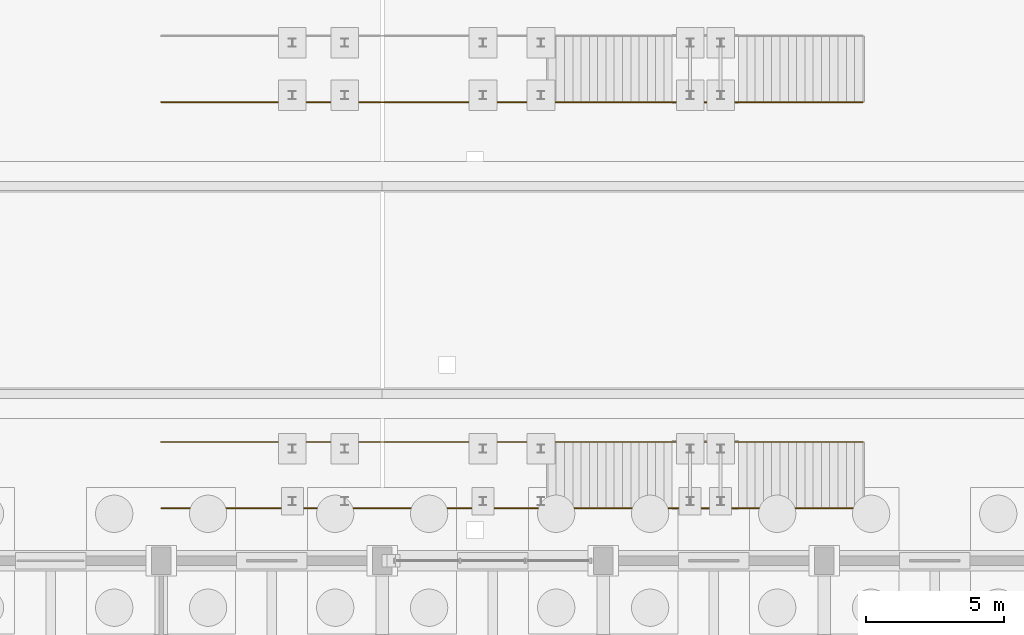
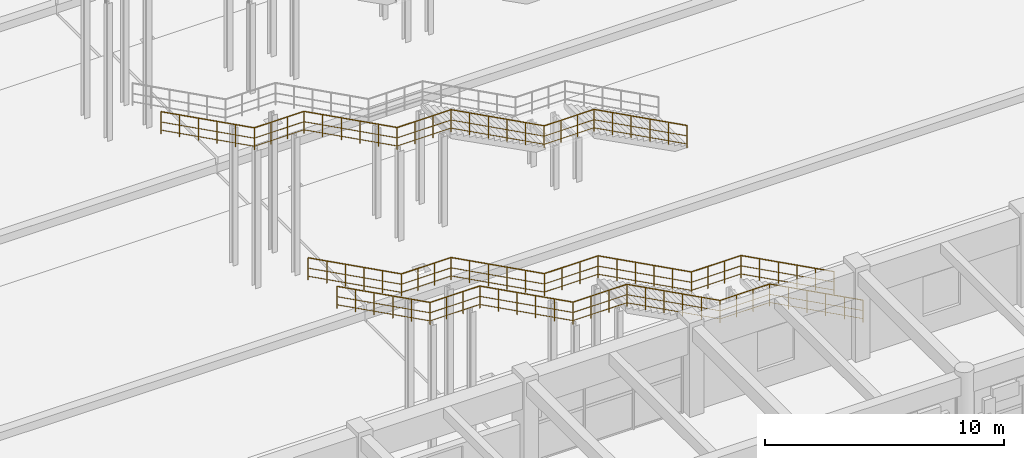
# One storey, part 142 of 147: 3 railings.
"""IFC4 building model written with IfcOpenShell, lengths in metres."""

from ifc_helpers import new_model, si_unit, direction, frame, origin, origin_2d, place, context, subcontext, project, spatial, circle, extrude, material, type_object, element, save


model = new_model("IFC4")

# Units and contexts
model_context = context("Model", 3, precision=1e-05, world=origin(), true_north=direction((0.0, 1.0)))
body_context = subcontext(model_context, "Body", "Model", "MODEL_VIEW")
ifc_project = project(units=[si_unit("LENGTHUNIT", "METRE"), si_unit("AREAUNIT", "SQUARE_METRE"), si_unit("VOLUMEUNIT", "CUBIC_METRE"), si_unit("PLANEANGLEUNIT", "RADIAN"), si_unit("MASSUNIT", "GRAM", prefix="KILO")], contexts=[model_context])

# Site, building, storey
site_placement = place(None, origin())
site = spatial("IfcSite", under=ifc_project, at=site_placement, CompositionType="ELEMENT")
building_placement = place(site_placement, origin())
building = spatial("IfcBuilding", under=site, at=building_placement, Name="Varnabhumi Central Station", CompositionType="ELEMENT")
storey_placement = place(building_placement, origin())
storey = spatial("IfcBuildingStorey", under=building, at=storey_placement, Name="L00", CompositionType="ELEMENT", Elevation=0.0)

# Railings
ifc_material = material(Name="Stainless steel Grade 316", Category="steel")
railing_type = type_object("IfcRailingType", Name="RAIL-STAIR-GRD-1150", PredefinedType="GUARDRAIL", material=ifc_material)
railing_1_placement = place(storey_placement, frame((137.39990234375, 37.89990234375, 0.0)))
element("IfcRailing", 1, at=railing_1_placement, inside=storey, type_object=railing_type, Name="Platform 1 Concourse Stair Guard S", PredefinedType="GUARDRAIL", context=body_context, shape_type="SweptSolid", body=[
    extrude(circle(Radius=0.02392578125, at=origin_2d()), frame((0.0, 0.0, 1.1259765625), z_axis=(-0.882360891967, 0.0, 0.470573327259), x_axis=(0.0, -1.0, 0.0)), (0.0, 0.0, 1.0), 5.099853515625),
    extrude(circle(Radius=0.01416015625, at=origin_2d()), frame((0.0, 0.0, 0.597900390625), z_axis=(-0.882360891967, 0.0, 0.470573327259), x_axis=(0.0, -1.0, 0.0)), (0.0, 0.0, 1.0), 5.099853515625),
    extrude(circle(Radius=0.01416015625, at=origin_2d()), frame((0.0, 0.0, 0.18408203125), z_axis=(-0.882360891967, 0.0, 0.470573327259), x_axis=(0.0, -1.0, 0.0)), (0.0, 0.0, 1.0), 5.099853515625),
    extrude(circle(Radius=0.02392578125, at=origin_2d()), frame((-4.5, 0.0, 3.52587890625), z_axis=(-1.0, 0.0, 0.0), x_axis=(0.0, -1.0, 0.0)), (0.0, 0.0, 1.0), 2.39990234375),
    extrude(circle(Radius=0.01416015625, at=origin_2d()), frame((-4.5, 0.0, 2.997802734375), z_axis=(-1.0, 0.0, 0.0), x_axis=(0.0, -1.0, 0.0)), (0.0, 0.0, 1.0), 2.39990234375),
    extrude(circle(Radius=0.01416015625, at=origin_2d()), frame((-4.5, 0.0, 2.583984375), z_axis=(-1.0, 0.0, 0.0), x_axis=(0.0, -1.0, 0.0)), (0.0, 0.0, 1.0), 2.39990234375),
    extrude(circle(Radius=0.02392578125, at=origin_2d()), frame((-6.89990234375, 0.0, 3.52587890625), z_axis=(-0.882341014787, 0.0, 0.470610596591), x_axis=(0.0, -1.0, 0.0)), (0.0, 0.0, 1.0), 5.10009765625),
    extrude(circle(Radius=0.01416015625, at=origin_2d()), frame((-6.89990234375, 0.0, 2.997802734375), z_axis=(-0.882341014787, 0.0, 0.470610596591), x_axis=(0.0, -1.0, 0.0)), (0.0, 0.0, 1.0), 5.10009765625),
    extrude(circle(Radius=0.01416015625, at=origin_2d()), frame((-6.89990234375, 0.0, 2.583984375), z_axis=(-0.882341014787, 0.0, 0.470610596591), x_axis=(0.0, -1.0, 0.0)), (0.0, 0.0, 1.0), 5.10009765625),
    extrude(circle(Radius=0.02392578125, at=origin_2d()), frame((-11.39990234375, 0.0, 5.92578125), z_axis=(-1.0, 0.0, 0.0), x_axis=(0.0, -1.0, 0.0)), (0.0, 0.0, 1.0), 2.60009765625),
    extrude(circle(Radius=0.01416015625, at=origin_2d()), frame((-11.39990234375, 0.0, 5.39794921875), z_axis=(-1.0, 0.0, 0.0), x_axis=(0.0, -1.0, 0.0)), (0.0, 0.0, 1.0), 2.60009765625),
    extrude(circle(Radius=0.01416015625, at=origin_2d()), frame((-11.39990234375, 0.0, 4.984130859375), z_axis=(-1.0, 0.0, 0.0), x_axis=(0.0, -1.0, 0.0)), (0.0, 0.0, 1.0), 2.60009765625),
    extrude(circle(Radius=0.02392578125, at=origin_2d()), frame((-14.0, 0.0, 5.92578125), z_axis=(-0.882360891967, 0.0, 0.470573327259), x_axis=(0.0, -1.0, 0.0)), (0.0, 0.0, 1.0), 5.099853515625),
    extrude(circle(Radius=0.01416015625, at=origin_2d()), frame((-14.0, 0.0, 5.39794921875), z_axis=(-0.882360891967, 0.0, 0.470573327259), x_axis=(0.0, -1.0, 0.0)), (0.0, 0.0, 1.0), 5.099853515625),
    extrude(circle(Radius=0.01416015625, at=origin_2d()), frame((-14.0, 0.0, 4.984130859375), z_axis=(-0.882360891967, 0.0, 0.470573327259), x_axis=(0.0, -1.0, 0.0)), (0.0, 0.0, 1.0), 5.099853515625),
    extrude(circle(Radius=0.02392578125, at=origin_2d()), frame((-18.5, 0.0, 8.32568359375), z_axis=(-1.0, 0.0, 0.0), x_axis=(0.0, -1.0, 0.0)), (0.0, 0.0, 1.0), 2.39990234375),
    extrude(circle(Radius=0.01416015625, at=origin_2d()), frame((-18.5, 0.0, 7.7978515625), z_axis=(-1.0, 0.0, 0.0), x_axis=(0.0, -1.0, 0.0)), (0.0, 0.0, 1.0), 2.39990234375),
    extrude(circle(Radius=0.01416015625, at=origin_2d()), frame((-18.5, 0.0, 7.384033203125), z_axis=(-1.0, 0.0, 0.0), x_axis=(0.0, -1.0, 0.0)), (0.0, 0.0, 1.0), 2.39990234375),
    extrude(circle(Radius=0.02392578125, at=origin_2d()), frame((-20.89990234375, 0.0, 8.32568359375), z_axis=(-0.882341014787, 0.0, 0.470610596591), x_axis=(0.0, -1.0, 0.0)), (0.0, 0.0, 1.0), 5.10009765625),
    extrude(circle(Radius=0.01416015625, at=origin_2d()), frame((-20.89990234375, 0.0, 7.7978515625), z_axis=(-0.882341014787, 0.0, 0.470610596591), x_axis=(0.0, -1.0, 0.0)), (0.0, 0.0, 1.0), 5.10009765625),
    extrude(circle(Radius=0.01416015625, at=origin_2d()), frame((-20.89990234375, 0.0, 7.384033203125), z_axis=(-0.882341014787, 0.0, 0.470610596591), x_axis=(0.0, -1.0, 0.0)), (0.0, 0.0, 1.0), 5.10009765625),
    extrude(circle(Radius=0.02099609375, at=origin_2d()), origin(), (0.0, 0.0, 1.0), 1.101806640625),
    extrude(circle(Radius=0.02099609375, at=origin_2d()), frame((-0.89990234375, 0.0, 0.47998046875)), (0.0, 0.0, 1.0), 1.101806640625),
    extrude(circle(Radius=0.02099609375, at=origin_2d()), frame((-1.800048828125, 0.0, 0.9599609375)), (0.0, 0.0, 1.0), 1.101806640625),
    extrude(circle(Radius=0.02099609375, at=origin_2d()), frame((-2.699951171875, 0.0, 1.43994140625)), (0.0, 0.0, 1.0), 1.101806640625),
    extrude(circle(Radius=0.02099609375, at=origin_2d()), frame((-3.60009765625, 0.0, 1.919921875)), (0.0, 0.0, 1.0), 1.101806640625),
    extrude(circle(Radius=0.02099609375, at=origin_2d()), frame((-4.5, 0.0, 2.39990234375)), (0.0, 0.0, 1.0), 1.101806640625),
    extrude(circle(Radius=0.02099609375, at=origin_2d()), frame((-5.300048828125, 0.0, 2.39990234375)), (0.0, 0.0, 1.0), 1.101806640625),
    extrude(circle(Radius=0.02099609375, at=origin_2d()), frame((-6.099853515625, 0.0, 2.39990234375)), (0.0, 0.0, 1.0), 1.101806640625),
    extrude(circle(Radius=0.02099609375, at=origin_2d()), frame((-6.89990234375, 0.0, 2.39990234375)), (0.0, 0.0, 1.0), 1.101806640625),
    extrude(circle(Radius=0.02099609375, at=origin_2d()), frame((-7.7998046875, 0.0, 2.8798828125)), (0.0, 0.0, 1.0), 1.101806640625),
    extrude(circle(Radius=0.02099609375, at=origin_2d()), frame((-8.699951171875, 0.0, 3.35986328125)), (0.0, 0.0, 1.0), 1.101806640625),
    extrude(circle(Radius=0.02099609375, at=origin_2d()), frame((-9.599853515625, 0.0, 3.840087890625)), (0.0, 0.0, 1.0), 1.101806640625),
    extrude(circle(Radius=0.02099609375, at=origin_2d()), frame((-10.5, 0.0, 4.320068359375)), (0.0, 0.0, 1.0), 1.101806640625),
    extrude(circle(Radius=0.02099609375, at=origin_2d()), frame((-11.39990234375, 0.0, 4.800048828125)), (0.0, 0.0, 1.0), 1.101806640625),
    extrude(circle(Radius=0.02099609375, at=origin_2d()), frame((-12.2666015625, 0.0, 4.800048828125)), (0.0, 0.0, 1.0), 1.101806640625),
    extrude(circle(Radius=0.02099609375, at=origin_2d()), frame((-13.13330078125, 0.0, 4.800048828125)), (0.0, 0.0, 1.0), 1.101806640625),
    extrude(circle(Radius=0.02099609375, at=origin_2d()), frame((-14.0, 0.0, 4.800048828125)), (0.0, 0.0, 1.0), 1.101806640625),
    extrude(circle(Radius=0.02099609375, at=origin_2d()), frame((-14.89990234375, 0.0, 5.280029296875)), (0.0, 0.0, 1.0), 1.101806640625),
    extrude(circle(Radius=0.02099609375, at=origin_2d()), frame((-15.800048828125, 0.0, 5.760009765625)), (0.0, 0.0, 1.0), 1.101806640625),
    extrude(circle(Radius=0.02099609375, at=origin_2d()), frame((-16.699951171875, 0.0, 6.239990234375)), (0.0, 0.0, 1.0), 1.101806640625),
    extrude(circle(Radius=0.02099609375, at=origin_2d()), frame((-17.60009765625, 0.0, 6.719970703125)), (0.0, 0.0, 1.0), 1.101806640625),
    extrude(circle(Radius=0.02099609375, at=origin_2d()), frame((-18.5, 0.0, 7.199951171875)), (0.0, 0.0, 1.0), 1.101806640625),
    extrude(circle(Radius=0.02099609375, at=origin_2d()), frame((-19.300048828125, 0.0, 7.199951171875)), (0.0, 0.0, 1.0), 1.101806640625),
    extrude(circle(Radius=0.02099609375, at=origin_2d()), frame((-20.099853515625, 0.0, 7.199951171875)), (0.0, 0.0, 1.0), 1.101806640625),
    extrude(circle(Radius=0.02099609375, at=origin_2d()), frame((-20.89990234375, 0.0, 7.199951171875)), (0.0, 0.0, 1.0), 1.101806640625),
    extrude(circle(Radius=0.02099609375, at=origin_2d()), frame((-21.7998046875, 0.0, 7.679931640625)), (0.0, 0.0, 1.0), 1.101806640625),
    extrude(circle(Radius=0.02099609375, at=origin_2d()), frame((-22.699951171875, 0.0, 8.159912109375)), (0.0, 0.0, 1.0), 1.101806640625),
    extrude(circle(Radius=0.02099609375, at=origin_2d()), frame((-23.599853515625, 0.0, 8.64013671875)), (0.0, 0.0, 1.0), 1.101806640625),
    extrude(circle(Radius=0.02099609375, at=origin_2d()), frame((-24.5, 0.0, 9.1201171875)), (0.0, 0.0, 1.0), 1.101806640625),
    extrude(circle(Radius=0.02099609375, at=origin_2d()), frame((-25.39990234375, 0.0, 9.60009765625)), (0.0, 0.0, 1.0), 1.101806640625),
])
railing_2_placement = place(storey_placement, frame((137.39990234375, 40.300048828125, 0.0)))
element("IfcRailing", 2, at=railing_2_placement, inside=storey, type_object=railing_type, Name="Platform 1 Concourse Stair Guard N", PredefinedType="GUARDRAIL", context=body_context, shape_type="SweptSolid", body=[
    extrude(circle(Radius=0.02392578125, at=origin_2d()), frame((0.0, 0.0, 1.1259765625), z_axis=(-0.882360891967, 0.0, 0.470573327259), x_axis=(0.0, -1.0, 0.0)), (0.0, 0.0, 1.0), 5.099853515625),
    extrude(circle(Radius=0.01416015625, at=origin_2d()), frame((0.0, 0.0, 0.597900390625), z_axis=(-0.882360891967, 0.0, 0.470573327259), x_axis=(0.0, -1.0, 0.0)), (0.0, 0.0, 1.0), 5.099853515625),
    extrude(circle(Radius=0.01416015625, at=origin_2d()), frame((0.0, 0.0, 0.18408203125), z_axis=(-0.882360891967, 0.0, 0.470573327259), x_axis=(0.0, -1.0, 0.0)), (0.0, 0.0, 1.0), 5.099853515625),
    extrude(circle(Radius=0.02392578125, at=origin_2d()), frame((-4.5, 0.0, 3.52587890625), z_axis=(-1.0, 0.0, 0.0), x_axis=(0.0, -1.0, 0.0)), (0.0, 0.0, 1.0), 2.39990234375),
    extrude(circle(Radius=0.01416015625, at=origin_2d()), frame((-4.5, 0.0, 2.997802734375), z_axis=(-1.0, 0.0, 0.0), x_axis=(0.0, -1.0, 0.0)), (0.0, 0.0, 1.0), 2.39990234375),
    extrude(circle(Radius=0.01416015625, at=origin_2d()), frame((-4.5, 0.0, 2.583984375), z_axis=(-1.0, 0.0, 0.0), x_axis=(0.0, -1.0, 0.0)), (0.0, 0.0, 1.0), 2.39990234375),
    extrude(circle(Radius=0.02392578125, at=origin_2d()), frame((-6.89990234375, 0.0, 3.52587890625), z_axis=(-0.882341014787, 0.0, 0.470610596591), x_axis=(0.0, -1.0, 0.0)), (0.0, 0.0, 1.0), 5.10009765625),
    extrude(circle(Radius=0.01416015625, at=origin_2d()), frame((-6.89990234375, 0.0, 2.997802734375), z_axis=(-0.882341014787, 0.0, 0.470610596591), x_axis=(0.0, -1.0, 0.0)), (0.0, 0.0, 1.0), 5.10009765625),
    extrude(circle(Radius=0.01416015625, at=origin_2d()), frame((-6.89990234375, 0.0, 2.583984375), z_axis=(-0.882341014787, 0.0, 0.470610596591), x_axis=(0.0, -1.0, 0.0)), (0.0, 0.0, 1.0), 5.10009765625),
    extrude(circle(Radius=0.02392578125, at=origin_2d()), frame((-11.39990234375, 0.0, 5.92578125), z_axis=(-1.0, 0.0, 0.0), x_axis=(0.0, -1.0, 0.0)), (0.0, 0.0, 1.0), 2.60009765625),
    extrude(circle(Radius=0.01416015625, at=origin_2d()), frame((-11.39990234375, 0.0, 5.39794921875), z_axis=(-1.0, 0.0, 0.0), x_axis=(0.0, -1.0, 0.0)), (0.0, 0.0, 1.0), 2.60009765625),
    extrude(circle(Radius=0.01416015625, at=origin_2d()), frame((-11.39990234375, 0.0, 4.984130859375), z_axis=(-1.0, 0.0, 0.0), x_axis=(0.0, -1.0, 0.0)), (0.0, 0.0, 1.0), 2.60009765625),
    extrude(circle(Radius=0.02392578125, at=origin_2d()), frame((-14.0, 0.0, 5.92578125), z_axis=(-0.882360891967, 0.0, 0.470573327259), x_axis=(0.0, -1.0, 0.0)), (0.0, 0.0, 1.0), 5.099853515625),
    extrude(circle(Radius=0.01416015625, at=origin_2d()), frame((-14.0, 0.0, 5.39794921875), z_axis=(-0.882360891967, 0.0, 0.470573327259), x_axis=(0.0, -1.0, 0.0)), (0.0, 0.0, 1.0), 5.099853515625),
    extrude(circle(Radius=0.01416015625, at=origin_2d()), frame((-14.0, 0.0, 4.984130859375), z_axis=(-0.882360891967, 0.0, 0.470573327259), x_axis=(0.0, -1.0, 0.0)), (0.0, 0.0, 1.0), 5.099853515625),
    extrude(circle(Radius=0.02392578125, at=origin_2d()), frame((-18.5, 0.0, 8.32568359375), z_axis=(-1.0, 0.0, 0.0), x_axis=(0.0, -1.0, 0.0)), (0.0, 0.0, 1.0), 2.39990234375),
    extrude(circle(Radius=0.01416015625, at=origin_2d()), frame((-18.5, 0.0, 7.7978515625), z_axis=(-1.0, 0.0, 0.0), x_axis=(0.0, -1.0, 0.0)), (0.0, 0.0, 1.0), 2.39990234375),
    extrude(circle(Radius=0.01416015625, at=origin_2d()), frame((-18.5, 0.0, 7.384033203125), z_axis=(-1.0, 0.0, 0.0), x_axis=(0.0, -1.0, 0.0)), (0.0, 0.0, 1.0), 2.39990234375),
    extrude(circle(Radius=0.02392578125, at=origin_2d()), frame((-20.89990234375, 0.0, 8.32568359375), z_axis=(-0.882341014787, 0.0, 0.470610596591), x_axis=(0.0, -1.0, 0.0)), (0.0, 0.0, 1.0), 5.10009765625),
    extrude(circle(Radius=0.01416015625, at=origin_2d()), frame((-20.89990234375, 0.0, 7.7978515625), z_axis=(-0.882341014787, 0.0, 0.470610596591), x_axis=(0.0, -1.0, 0.0)), (0.0, 0.0, 1.0), 5.10009765625),
    extrude(circle(Radius=0.01416015625, at=origin_2d()), frame((-20.89990234375, 0.0, 7.384033203125), z_axis=(-0.882341014787, 0.0, 0.470610596591), x_axis=(0.0, -1.0, 0.0)), (0.0, 0.0, 1.0), 5.10009765625),
    extrude(circle(Radius=0.02099609375, at=origin_2d()), origin(), (0.0, 0.0, 1.0), 1.101806640625),
    extrude(circle(Radius=0.02099609375, at=origin_2d()), frame((-0.89990234375, 0.0, 0.47998046875)), (0.0, 0.0, 1.0), 1.101806640625),
    extrude(circle(Radius=0.02099609375, at=origin_2d()), frame((-1.800048828125, 0.0, 0.9599609375)), (0.0, 0.0, 1.0), 1.101806640625),
    extrude(circle(Radius=0.02099609375, at=origin_2d()), frame((-2.699951171875, 0.0, 1.43994140625)), (0.0, 0.0, 1.0), 1.101806640625),
    extrude(circle(Radius=0.02099609375, at=origin_2d()), frame((-3.60009765625, 0.0, 1.919921875)), (0.0, 0.0, 1.0), 1.101806640625),
    extrude(circle(Radius=0.02099609375, at=origin_2d()), frame((-4.5, 0.0, 2.39990234375)), (0.0, 0.0, 1.0), 1.101806640625),
    extrude(circle(Radius=0.02099609375, at=origin_2d()), frame((-5.300048828125, 0.0, 2.39990234375)), (0.0, 0.0, 1.0), 1.101806640625),
    extrude(circle(Radius=0.02099609375, at=origin_2d()), frame((-6.099853515625, 0.0, 2.39990234375)), (0.0, 0.0, 1.0), 1.101806640625),
    extrude(circle(Radius=0.02099609375, at=origin_2d()), frame((-6.89990234375, 0.0, 2.39990234375)), (0.0, 0.0, 1.0), 1.101806640625),
    extrude(circle(Radius=0.02099609375, at=origin_2d()), frame((-7.7998046875, 0.0, 2.8798828125)), (0.0, 0.0, 1.0), 1.101806640625),
    extrude(circle(Radius=0.02099609375, at=origin_2d()), frame((-8.699951171875, 0.0, 3.35986328125)), (0.0, 0.0, 1.0), 1.101806640625),
    extrude(circle(Radius=0.02099609375, at=origin_2d()), frame((-9.599853515625, 0.0, 3.840087890625)), (0.0, 0.0, 1.0), 1.101806640625),
    extrude(circle(Radius=0.02099609375, at=origin_2d()), frame((-10.5, 0.0, 4.320068359375)), (0.0, 0.0, 1.0), 1.101806640625),
    extrude(circle(Radius=0.02099609375, at=origin_2d()), frame((-11.39990234375, 0.0, 4.800048828125)), (0.0, 0.0, 1.0), 1.101806640625),
    extrude(circle(Radius=0.02099609375, at=origin_2d()), frame((-12.2666015625, 0.0, 4.800048828125)), (0.0, 0.0, 1.0), 1.101806640625),
    extrude(circle(Radius=0.02099609375, at=origin_2d()), frame((-13.13330078125, 0.0, 4.800048828125)), (0.0, 0.0, 1.0), 1.101806640625),
    extrude(circle(Radius=0.02099609375, at=origin_2d()), frame((-14.0, 0.0, 4.800048828125)), (0.0, 0.0, 1.0), 1.101806640625),
    extrude(circle(Radius=0.02099609375, at=origin_2d()), frame((-14.89990234375, 0.0, 5.280029296875)), (0.0, 0.0, 1.0), 1.101806640625),
    extrude(circle(Radius=0.02099609375, at=origin_2d()), frame((-15.800048828125, 0.0, 5.760009765625)), (0.0, 0.0, 1.0), 1.101806640625),
    extrude(circle(Radius=0.02099609375, at=origin_2d()), frame((-16.699951171875, 0.0, 6.239990234375)), (0.0, 0.0, 1.0), 1.101806640625),
    extrude(circle(Radius=0.02099609375, at=origin_2d()), frame((-17.60009765625, 0.0, 6.719970703125)), (0.0, 0.0, 1.0), 1.101806640625),
    extrude(circle(Radius=0.02099609375, at=origin_2d()), frame((-18.5, 0.0, 7.199951171875)), (0.0, 0.0, 1.0), 1.101806640625),
    extrude(circle(Radius=0.02099609375, at=origin_2d()), frame((-19.300048828125, 0.0, 7.199951171875)), (0.0, 0.0, 1.0), 1.101806640625),
    extrude(circle(Radius=0.02099609375, at=origin_2d()), frame((-20.099853515625, 0.0, 7.199951171875)), (0.0, 0.0, 1.0), 1.101806640625),
    extrude(circle(Radius=0.02099609375, at=origin_2d()), frame((-20.89990234375, 0.0, 7.199951171875)), (0.0, 0.0, 1.0), 1.101806640625),
    extrude(circle(Radius=0.02099609375, at=origin_2d()), frame((-21.7998046875, 0.0, 7.679931640625)), (0.0, 0.0, 1.0), 1.101806640625),
    extrude(circle(Radius=0.02099609375, at=origin_2d()), frame((-22.699951171875, 0.0, 8.159912109375)), (0.0, 0.0, 1.0), 1.101806640625),
    extrude(circle(Radius=0.02099609375, at=origin_2d()), frame((-23.599853515625, 0.0, 8.64013671875)), (0.0, 0.0, 1.0), 1.101806640625),
    extrude(circle(Radius=0.02099609375, at=origin_2d()), frame((-24.5, 0.0, 9.1201171875)), (0.0, 0.0, 1.0), 1.101806640625),
    extrude(circle(Radius=0.02099609375, at=origin_2d()), frame((-25.39990234375, 0.0, 9.60009765625)), (0.0, 0.0, 1.0), 1.101806640625),
])
railing_3_placement = place(storey_placement, frame((137.39990234375, 52.60009765625, 0.0)))
element("IfcRailing", 3, at=railing_3_placement, inside=storey, type_object=railing_type, Name="Platform 2 Concourse Stair Guard S", PredefinedType="GUARDRAIL", context=body_context, shape_type="SweptSolid", body=[
    extrude(circle(Radius=0.02392578125, at=origin_2d()), frame((0.0, 0.0, 1.1259765625), z_axis=(-0.882360891967, 0.0, 0.470573327259), x_axis=(0.0, -1.0, 0.0)), (0.0, 0.0, 1.0), 5.099853515625),
    extrude(circle(Radius=0.01416015625, at=origin_2d()), frame((0.0, 0.0, 0.597900390625), z_axis=(-0.882360891967, 0.0, 0.470573327259), x_axis=(0.0, -1.0, 0.0)), (0.0, 0.0, 1.0), 5.099853515625),
    extrude(circle(Radius=0.01416015625, at=origin_2d()), frame((0.0, 0.0, 0.18408203125), z_axis=(-0.882360891967, 0.0, 0.470573327259), x_axis=(0.0, -1.0, 0.0)), (0.0, 0.0, 1.0), 5.099853515625),
    extrude(circle(Radius=0.02392578125, at=origin_2d()), frame((-4.5, 0.0, 3.52587890625), z_axis=(-1.0, 0.0, 0.0), x_axis=(0.0, -1.0, 0.0)), (0.0, 0.0, 1.0), 2.39990234375),
    extrude(circle(Radius=0.01416015625, at=origin_2d()), frame((-4.5, 0.0, 2.997802734375), z_axis=(-1.0, 0.0, 0.0), x_axis=(0.0, -1.0, 0.0)), (0.0, 0.0, 1.0), 2.39990234375),
    extrude(circle(Radius=0.01416015625, at=origin_2d()), frame((-4.5, 0.0, 2.583984375), z_axis=(-1.0, 0.0, 0.0), x_axis=(0.0, -1.0, 0.0)), (0.0, 0.0, 1.0), 2.39990234375),
    extrude(circle(Radius=0.02392578125, at=origin_2d()), frame((-6.89990234375, 0.0, 3.52587890625), z_axis=(-0.882341014787, 0.0, 0.470610596591), x_axis=(0.0, -1.0, 0.0)), (0.0, 0.0, 1.0), 5.10009765625),
    extrude(circle(Radius=0.01416015625, at=origin_2d()), frame((-6.89990234375, 0.0, 2.997802734375), z_axis=(-0.882341014787, 0.0, 0.470610596591), x_axis=(0.0, -1.0, 0.0)), (0.0, 0.0, 1.0), 5.10009765625),
    extrude(circle(Radius=0.01416015625, at=origin_2d()), frame((-6.89990234375, 0.0, 2.583984375), z_axis=(-0.882341014787, 0.0, 0.470610596591), x_axis=(0.0, -1.0, 0.0)), (0.0, 0.0, 1.0), 5.10009765625),
    extrude(circle(Radius=0.02392578125, at=origin_2d()), frame((-11.39990234375, 0.0, 5.92578125), z_axis=(-1.0, 0.0, 0.0), x_axis=(0.0, -1.0, 0.0)), (0.0, 0.0, 1.0), 2.60009765625),
    extrude(circle(Radius=0.01416015625, at=origin_2d()), frame((-11.39990234375, 0.0, 5.39794921875), z_axis=(-1.0, 0.0, 0.0), x_axis=(0.0, -1.0, 0.0)), (0.0, 0.0, 1.0), 2.60009765625),
    extrude(circle(Radius=0.01416015625, at=origin_2d()), frame((-11.39990234375, 0.0, 4.984130859375), z_axis=(-1.0, 0.0, 0.0), x_axis=(0.0, -1.0, 0.0)), (0.0, 0.0, 1.0), 2.60009765625),
    extrude(circle(Radius=0.02392578125, at=origin_2d()), frame((-14.0, 0.0, 5.92578125), z_axis=(-0.882360891967, 0.0, 0.470573327259), x_axis=(0.0, -1.0, 0.0)), (0.0, 0.0, 1.0), 5.099853515625),
    extrude(circle(Radius=0.01416015625, at=origin_2d()), frame((-14.0, 0.0, 5.39794921875), z_axis=(-0.882360891967, 0.0, 0.470573327259), x_axis=(0.0, -1.0, 0.0)), (0.0, 0.0, 1.0), 5.099853515625),
    extrude(circle(Radius=0.01416015625, at=origin_2d()), frame((-14.0, 0.0, 4.984130859375), z_axis=(-0.882360891967, 0.0, 0.470573327259), x_axis=(0.0, -1.0, 0.0)), (0.0, 0.0, 1.0), 5.099853515625),
    extrude(circle(Radius=0.02392578125, at=origin_2d()), frame((-18.5, 0.0, 8.32568359375), z_axis=(-1.0, 0.0, 0.0), x_axis=(0.0, -1.0, 0.0)), (0.0, 0.0, 1.0), 2.39990234375),
    extrude(circle(Radius=0.01416015625, at=origin_2d()), frame((-18.5, 0.0, 7.7978515625), z_axis=(-1.0, 0.0, 0.0), x_axis=(0.0, -1.0, 0.0)), (0.0, 0.0, 1.0), 2.39990234375),
    extrude(circle(Radius=0.01416015625, at=origin_2d()), frame((-18.5, 0.0, 7.384033203125), z_axis=(-1.0, 0.0, 0.0), x_axis=(0.0, -1.0, 0.0)), (0.0, 0.0, 1.0), 2.39990234375),
    extrude(circle(Radius=0.02392578125, at=origin_2d()), frame((-20.89990234375, 0.0, 8.32568359375), z_axis=(-0.882341014787, 0.0, 0.470610596591), x_axis=(0.0, -1.0, 0.0)), (0.0, 0.0, 1.0), 5.10009765625),
    extrude(circle(Radius=0.01416015625, at=origin_2d()), frame((-20.89990234375, 0.0, 7.7978515625), z_axis=(-0.882341014787, 0.0, 0.470610596591), x_axis=(0.0, -1.0, 0.0)), (0.0, 0.0, 1.0), 5.10009765625),
    extrude(circle(Radius=0.01416015625, at=origin_2d()), frame((-20.89990234375, 0.0, 7.384033203125), z_axis=(-0.882341014787, 0.0, 0.470610596591), x_axis=(0.0, -1.0, 0.0)), (0.0, 0.0, 1.0), 5.10009765625),
    extrude(circle(Radius=0.02099609375, at=origin_2d()), origin(), (0.0, 0.0, 1.0), 1.101806640625),
    extrude(circle(Radius=0.02099609375, at=origin_2d()), frame((-0.89990234375, 0.0, 0.47998046875)), (0.0, 0.0, 1.0), 1.101806640625),
    extrude(circle(Radius=0.02099609375, at=origin_2d()), frame((-1.800048828125, 0.0, 0.9599609375)), (0.0, 0.0, 1.0), 1.101806640625),
    extrude(circle(Radius=0.02099609375, at=origin_2d()), frame((-2.699951171875, 0.0, 1.43994140625)), (0.0, 0.0, 1.0), 1.101806640625),
    extrude(circle(Radius=0.02099609375, at=origin_2d()), frame((-3.60009765625, 0.0, 1.919921875)), (0.0, 0.0, 1.0), 1.101806640625),
    extrude(circle(Radius=0.02099609375, at=origin_2d()), frame((-4.5, 0.0, 2.39990234375)), (0.0, 0.0, 1.0), 1.101806640625),
    extrude(circle(Radius=0.02099609375, at=origin_2d()), frame((-5.300048828125, 0.0, 2.39990234375)), (0.0, 0.0, 1.0), 1.101806640625),
    extrude(circle(Radius=0.02099609375, at=origin_2d()), frame((-6.099853515625, 0.0, 2.39990234375)), (0.0, 0.0, 1.0), 1.101806640625),
    extrude(circle(Radius=0.02099609375, at=origin_2d()), frame((-6.89990234375, 0.0, 2.39990234375)), (0.0, 0.0, 1.0), 1.101806640625),
    extrude(circle(Radius=0.02099609375, at=origin_2d()), frame((-7.7998046875, 0.0, 2.8798828125)), (0.0, 0.0, 1.0), 1.101806640625),
    extrude(circle(Radius=0.02099609375, at=origin_2d()), frame((-8.699951171875, 0.0, 3.35986328125)), (0.0, 0.0, 1.0), 1.101806640625),
    extrude(circle(Radius=0.02099609375, at=origin_2d()), frame((-9.599853515625, 0.0, 3.840087890625)), (0.0, 0.0, 1.0), 1.101806640625),
    extrude(circle(Radius=0.02099609375, at=origin_2d()), frame((-10.5, 0.0, 4.320068359375)), (0.0, 0.0, 1.0), 1.101806640625),
    extrude(circle(Radius=0.02099609375, at=origin_2d()), frame((-11.39990234375, 0.0, 4.800048828125)), (0.0, 0.0, 1.0), 1.101806640625),
    extrude(circle(Radius=0.02099609375, at=origin_2d()), frame((-12.2666015625, 0.0, 4.800048828125)), (0.0, 0.0, 1.0), 1.101806640625),
    extrude(circle(Radius=0.02099609375, at=origin_2d()), frame((-13.13330078125, 0.0, 4.800048828125)), (0.0, 0.0, 1.0), 1.101806640625),
    extrude(circle(Radius=0.02099609375, at=origin_2d()), frame((-14.0, 0.0, 4.800048828125)), (0.0, 0.0, 1.0), 1.101806640625),
    extrude(circle(Radius=0.02099609375, at=origin_2d()), frame((-14.89990234375, 0.0, 5.280029296875)), (0.0, 0.0, 1.0), 1.101806640625),
    extrude(circle(Radius=0.02099609375, at=origin_2d()), frame((-15.800048828125, 0.0, 5.760009765625)), (0.0, 0.0, 1.0), 1.101806640625),
    extrude(circle(Radius=0.02099609375, at=origin_2d()), frame((-16.699951171875, 0.0, 6.239990234375)), (0.0, 0.0, 1.0), 1.101806640625),
    extrude(circle(Radius=0.02099609375, at=origin_2d()), frame((-17.60009765625, 0.0, 6.719970703125)), (0.0, 0.0, 1.0), 1.101806640625),
    extrude(circle(Radius=0.02099609375, at=origin_2d()), frame((-18.5, 0.0, 7.199951171875)), (0.0, 0.0, 1.0), 1.101806640625),
    extrude(circle(Radius=0.02099609375, at=origin_2d()), frame((-19.300048828125, 0.0, 7.199951171875)), (0.0, 0.0, 1.0), 1.101806640625),
    extrude(circle(Radius=0.02099609375, at=origin_2d()), frame((-20.099853515625, 0.0, 7.199951171875)), (0.0, 0.0, 1.0), 1.101806640625),
    extrude(circle(Radius=0.02099609375, at=origin_2d()), frame((-20.89990234375, 0.0, 7.199951171875)), (0.0, 0.0, 1.0), 1.101806640625),
    extrude(circle(Radius=0.02099609375, at=origin_2d()), frame((-21.7998046875, 0.0, 7.679931640625)), (0.0, 0.0, 1.0), 1.101806640625),
    extrude(circle(Radius=0.02099609375, at=origin_2d()), frame((-22.699951171875, 0.0, 8.159912109375)), (0.0, 0.0, 1.0), 1.101806640625),
    extrude(circle(Radius=0.02099609375, at=origin_2d()), frame((-23.599853515625, 0.0, 8.64013671875)), (0.0, 0.0, 1.0), 1.101806640625),
    extrude(circle(Radius=0.02099609375, at=origin_2d()), frame((-24.5, 0.0, 9.1201171875)), (0.0, 0.0, 1.0), 1.101806640625),
    extrude(circle(Radius=0.02099609375, at=origin_2d()), frame((-25.39990234375, 0.0, 9.60009765625)), (0.0, 0.0, 1.0), 1.101806640625),
])

save(model, "model.ifc")
